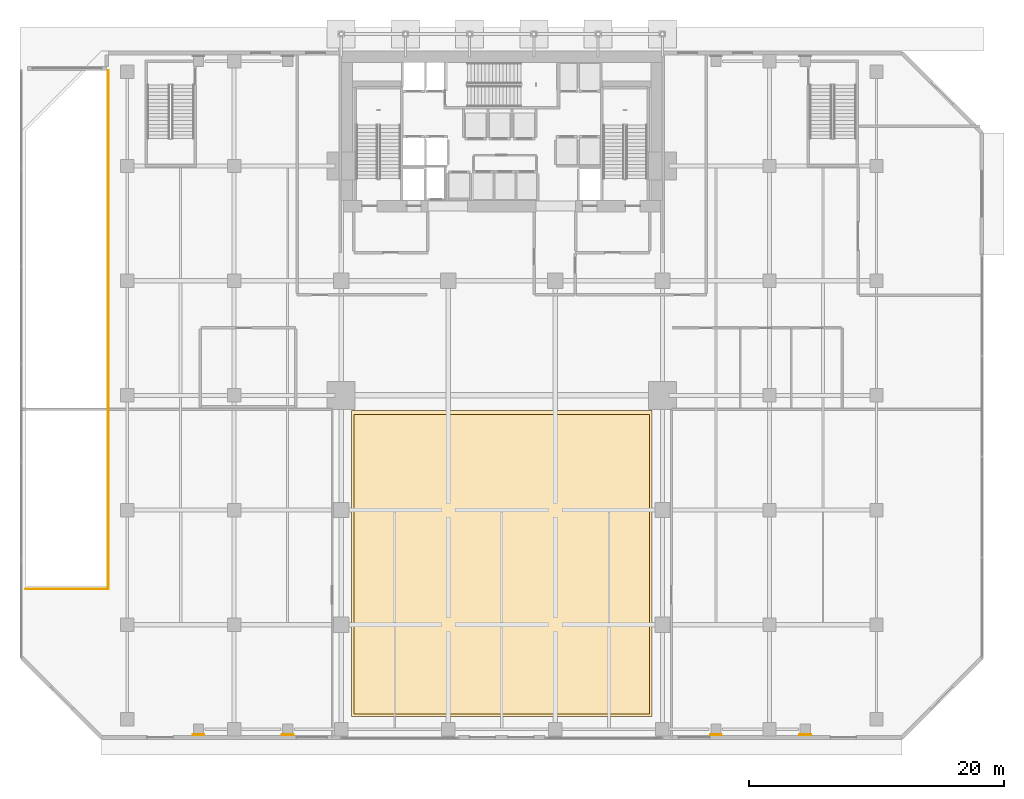
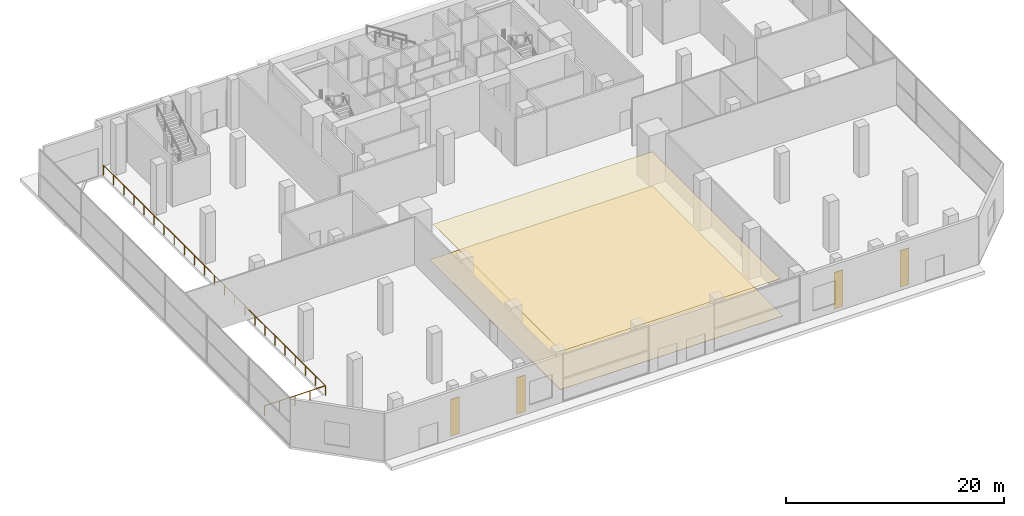
# One storey, part 32 of 35: 6 coverings, 1 railing.
"""IFC4 building model written with IfcOpenShell, lengths in metres."""

from ifc_helpers import new_model, si_unit, direction, frame, origin, origin_2d, place, context, subcontext, project, spatial, polyline, rectangle, circle, outline, extrude, material, layer, layer_set, type_object, element, save


model = new_model("IFC4")

# Units and contexts
model_context = context("Model", 3, precision=1e-05, world=origin(), true_north=direction((0.0, 1.0)))
body_context = subcontext(model_context, "Body", "Model", "MODEL_VIEW")
ifc_project = project(units=[si_unit("LENGTHUNIT", "METRE"), si_unit("AREAUNIT", "SQUARE_METRE"), si_unit("VOLUMEUNIT", "CUBIC_METRE"), si_unit("PLANEANGLEUNIT", "RADIAN"), si_unit("MASSUNIT", "GRAM", prefix="KILO")], contexts=[model_context])

# Site, building, storey
site_placement = place(None, origin())
site = spatial("IfcSite", under=ifc_project, at=site_placement, CompositionType="ELEMENT")
building_placement = place(site_placement, origin())
building = spatial("IfcBuilding", under=site, at=building_placement, Name="Maruvema Waterfront Hotel and Observation Tower", CompositionType="ELEMENT")
storey_placement = place(building_placement, origin())
storey = spatial("IfcBuildingStorey", under=building, at=storey_placement, Name="L00", CompositionType="ELEMENT", Elevation=0.0)

# Coverings
ifc_material_1 = material(Name="Honed Pernambuco warm granite", Category="masonry")
ifc_layer_1 = layer(ifc_material_1, 0.030029296875, Name="Honed Pernambuco Granite Lobby Flooring 30 mm")
ifc_layer_set_1 = layer_set([ifc_layer_1], Name="Honed Pernambuco warm granite")
covering_type_1 = type_object("IfcCoveringType", Name="Honed Pernambuco Granite Lobby Flooring 30 mm", PredefinedType="FLOORING", material=ifc_layer_set_1)
covering_1_placement = place(storey_placement, origin())
element("IfcCovering", 1, at=covering_1_placement, inside=storey, type_object=covering_type_1, Name="L00 Grand Lobby Granite Flooring", PredefinedType="FLOORING", context=body_context, shape_type="SweptSolid", body=[
    extrude(outline(polyline([(26.0, 1.800048828125), (49.60009765625, 1.800048828125), (49.60009765625, 25.800048828125), (26.0, 25.800048828125), (26.0, 1.800048828125)])), origin(), (0.0, 0.0, 1.0), 0.030029296875),
])
ifc_material_2 = material(Name="Perforated acoustic gypsum board", Category="gypsum")
ifc_layer_2 = layer(ifc_material_2, 0.02490234375, Name="Perforated Acoustic Gypsum Suspended Ceiling 25 mm")
ifc_layer_set_2 = layer_set([ifc_layer_2], Name="Perforated acoustic gypsum board")
covering_type_2 = type_object("IfcCoveringType", Name="Perforated Acoustic Gypsum Suspended Ceiling 25 mm", PredefinedType="CEILING", material=ifc_layer_set_2)
covering_2_placement = place(storey_placement, frame((0.0, 0.0, 4.10009765625)))
element("IfcCovering", 2, at=covering_2_placement, inside=storey, type_object=covering_type_2, Name="L00 Grand Lobby Acoustic Ceiling", PredefinedType="CEILING", context=body_context, shape_type="SweptSolid", body=[
    extrude(outline(polyline([(26.199951171875, 2.0), (49.39990234375, 2.0), (49.39990234375, 25.5), (26.199951171875, 25.5), (26.199951171875, 2.0)])), origin(), (0.0, 0.0, 1.0), 0.02490234375),
])
ifc_material_3 = material(Name="Honed Pernambuco warm cream granite", Category="masonry")
ifc_layer_3 = layer(ifc_material_3, 0.044921875, Name="Podium Column Honed Granite Cladding Panel 45 mm")
ifc_layer_set_3 = layer_set([ifc_layer_3], Name="Honed Pernambuco warm cream granite")
covering_type_3 = type_object("IfcCoveringType", Name="Podium Column Honed Granite Cladding Panel 45 mm", PredefinedType="CLADDING", material=ifc_layer_set_3)
for number, where, z_axis, x_axis, name in (
    (3, (14.0, 0.3798828125, 0.050048828125), (0.0, 0.0, 1.0), (1.0, 0.0, 0.0), "L00 Waterfront Pilaster Granite Cladding S1"),
    (4, (21.0, 0.3798828125, 0.050048828125), (0.0, 0.0, 1.0), (1.0, 0.0, 0.0), "L00 Waterfront Pilaster Granite Cladding S2"),
    (5, (54.60009765625, 0.3798828125, 0.050048828125), (0.0, 0.0, 1.0), (1.0, 0.0, 0.0), "L00 Waterfront Pilaster Granite Cladding S3"),
    (6, (61.60009765625, 0.3798828125, 0.050048828125), (0.0, 0.0, 1.0), (1.0, 0.0, 0.0), "L00 Waterfront Pilaster Granite Cladding S4"),
):
    element("IfcCovering", number, at=place(storey_placement, frame(where, z_axis=z_axis, x_axis=x_axis)), inside=storey, type_object=covering_type_3, Name=name, PredefinedType="CLADDING", context=body_context, shape_type="SweptSolid", body=[
        extrude(rectangle(XDim=0.919921875, YDim=0.06005859375, at=origin_2d()), origin(), (0.0, 0.0, 1.0), 4.10009765625),
    ])

# Railing
ifc_material_4 = material(Name="Brushed stainless steel Grade 316", Category="steel")
railing_type = type_object("IfcRailingType", Name="Ramp and Terrace Guard Balustrade 1100 mm", PredefinedType="BALUSTRADE", material=ifc_material_4)
railing_placement = place(storey_placement, frame((0.449951171875, 11.820068359375, 0.0)))
element("IfcRailing", 7, at=railing_placement, inside=storey, type_object=railing_type, Name="L00 Vehicle Ramp Well Guard Balustrade", PredefinedType="BALUSTRADE", context=body_context, shape_type="SweptSolid", body=[
    extrude(circle(Radius=0.02392578125, at=origin_2d()), frame((0.0, 0.0, 1.076171875), z_axis=(1.0, 0.0, 0.0), x_axis=(0.0, 1.0, 0.0)), (0.0, 0.0, 1.0), 6.469970703125),
    extrude(circle(Radius=0.02392578125, at=origin_2d()), frame((6.469970703125, 0.0, 1.076171875), z_axis=(0.0, 1.0, 0.0), x_axis=(-1.0, 0.0, 0.0)), (0.0, 0.0, 1.0), 40.679931640625),
    extrude(circle(Radius=0.02099609375, at=origin_2d()), origin(), (0.0, 0.0, 1.0), 1.052001953125),
    extrude(circle(Radius=0.02099609375, at=origin_2d()), frame((1.617431640625, 0.0, 0.0)), (0.0, 0.0, 1.0), 1.052001953125),
    extrude(circle(Radius=0.02099609375, at=origin_2d()), frame((3.23486328125, 0.0, 0.0)), (0.0, 0.0, 1.0), 1.052001953125),
    extrude(circle(Radius=0.02099609375, at=origin_2d()), frame((4.8525390625, 0.0, 0.0)), (0.0, 0.0, 1.0), 1.052001953125),
    extrude(circle(Radius=0.02099609375, at=origin_2d()), frame((6.469970703125, 0.0, 0.0)), (0.0, 0.0, 1.0), 1.052001953125),
    extrude(circle(Radius=0.02099609375, at=origin_2d()), frame((6.469970703125, 1.84912109375, 0.0)), (0.0, 0.0, 1.0), 1.052001953125),
    extrude(circle(Radius=0.02099609375, at=origin_2d()), frame((6.469970703125, 3.6982421875, 0.0)), (0.0, 0.0, 1.0), 1.052001953125),
    extrude(circle(Radius=0.02099609375, at=origin_2d()), frame((6.469970703125, 5.54736328125, 0.0)), (0.0, 0.0, 1.0), 1.052001953125),
    extrude(circle(Radius=0.02099609375, at=origin_2d()), frame((6.469970703125, 7.396240234375, 0.0)), (0.0, 0.0, 1.0), 1.052001953125),
    extrude(circle(Radius=0.02099609375, at=origin_2d()), frame((6.469970703125, 9.245361328125, 0.0)), (0.0, 0.0, 1.0), 1.052001953125),
    extrude(circle(Radius=0.02099609375, at=origin_2d()), frame((6.469970703125, 11.094482421875, 0.0)), (0.0, 0.0, 1.0), 1.052001953125),
    extrude(circle(Radius=0.02099609375, at=origin_2d()), frame((6.469970703125, 12.943603515625, 0.0)), (0.0, 0.0, 1.0), 1.052001953125),
    extrude(circle(Radius=0.02099609375, at=origin_2d()), frame((6.469970703125, 14.792724609375, 0.0)), (0.0, 0.0, 1.0), 1.052001953125),
    extrude(circle(Radius=0.02099609375, at=origin_2d()), frame((6.469970703125, 16.641845703125, 0.0)), (0.0, 0.0, 1.0), 1.052001953125),
    extrude(circle(Radius=0.02099609375, at=origin_2d()), frame((6.469970703125, 18.490966796875, 0.0)), (0.0, 0.0, 1.0), 1.052001953125),
    extrude(circle(Radius=0.02099609375, at=origin_2d()), frame((6.469970703125, 20.33984375, 0.0)), (0.0, 0.0, 1.0), 1.052001953125),
    extrude(circle(Radius=0.02099609375, at=origin_2d()), frame((6.469970703125, 22.18896484375, 0.0)), (0.0, 0.0, 1.0), 1.052001953125),
    extrude(circle(Radius=0.02099609375, at=origin_2d()), frame((6.469970703125, 24.0380859375, 0.0)), (0.0, 0.0, 1.0), 1.052001953125),
    extrude(circle(Radius=0.02099609375, at=origin_2d()), frame((6.469970703125, 25.88720703125, 0.0)), (0.0, 0.0, 1.0), 1.052001953125),
    extrude(circle(Radius=0.02099609375, at=origin_2d()), frame((6.469970703125, 27.736328125, 0.0)), (0.0, 0.0, 1.0), 1.052001953125),
    extrude(circle(Radius=0.02099609375, at=origin_2d()), frame((6.469970703125, 29.58544921875, 0.0)), (0.0, 0.0, 1.0), 1.052001953125),
    extrude(circle(Radius=0.02099609375, at=origin_2d()), frame((6.469970703125, 31.4345703125, 0.0)), (0.0, 0.0, 1.0), 1.052001953125),
    extrude(circle(Radius=0.02099609375, at=origin_2d()), frame((6.469970703125, 33.28369140625, 0.0)), (0.0, 0.0, 1.0), 1.052001953125),
    extrude(circle(Radius=0.02099609375, at=origin_2d()), frame((6.469970703125, 35.132568359375, 0.0)), (0.0, 0.0, 1.0), 1.052001953125),
    extrude(circle(Radius=0.02099609375, at=origin_2d()), frame((6.469970703125, 36.981689453125, 0.0)), (0.0, 0.0, 1.0), 1.052001953125),
    extrude(circle(Radius=0.02099609375, at=origin_2d()), frame((6.469970703125, 38.830810546875, 0.0)), (0.0, 0.0, 1.0), 1.052001953125),
    extrude(circle(Radius=0.02099609375, at=origin_2d()), frame((6.469970703125, 40.679931640625, 0.0)), (0.0, 0.0, 1.0), 1.052001953125),
])

save(model, "model.ifc")
